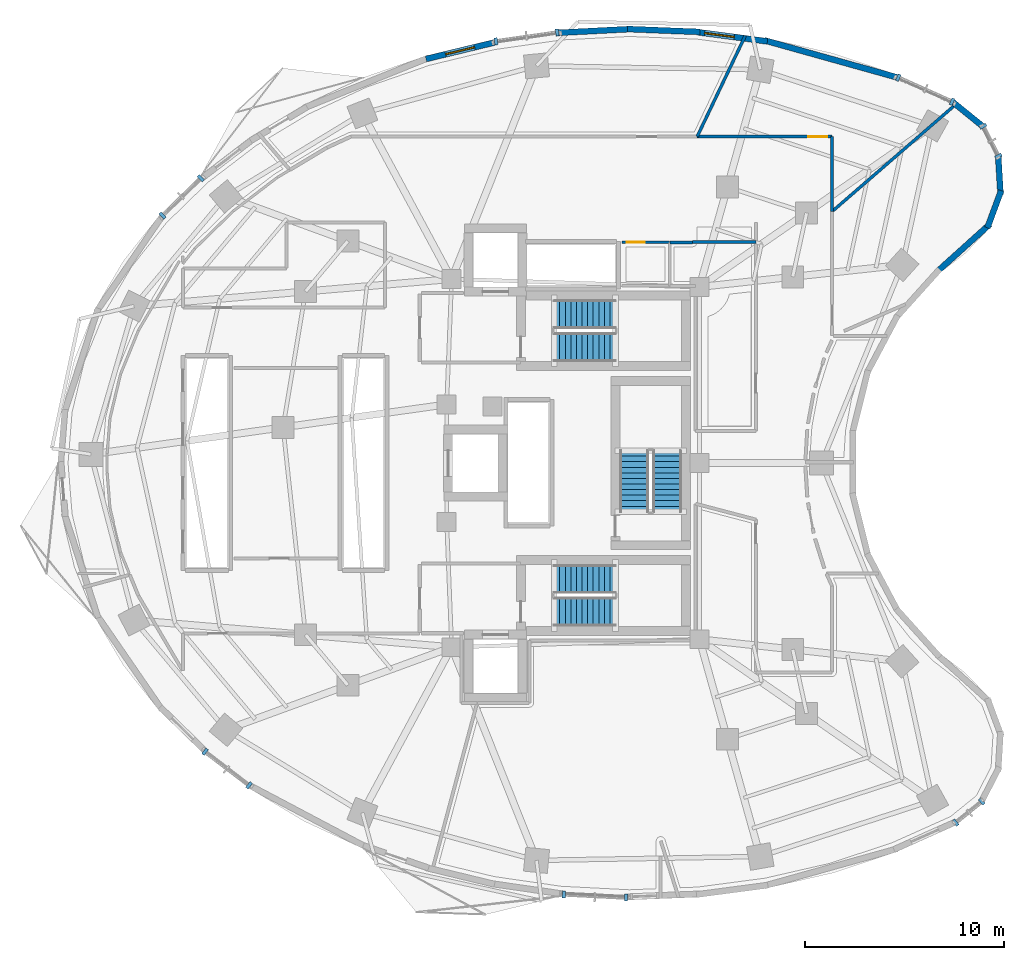
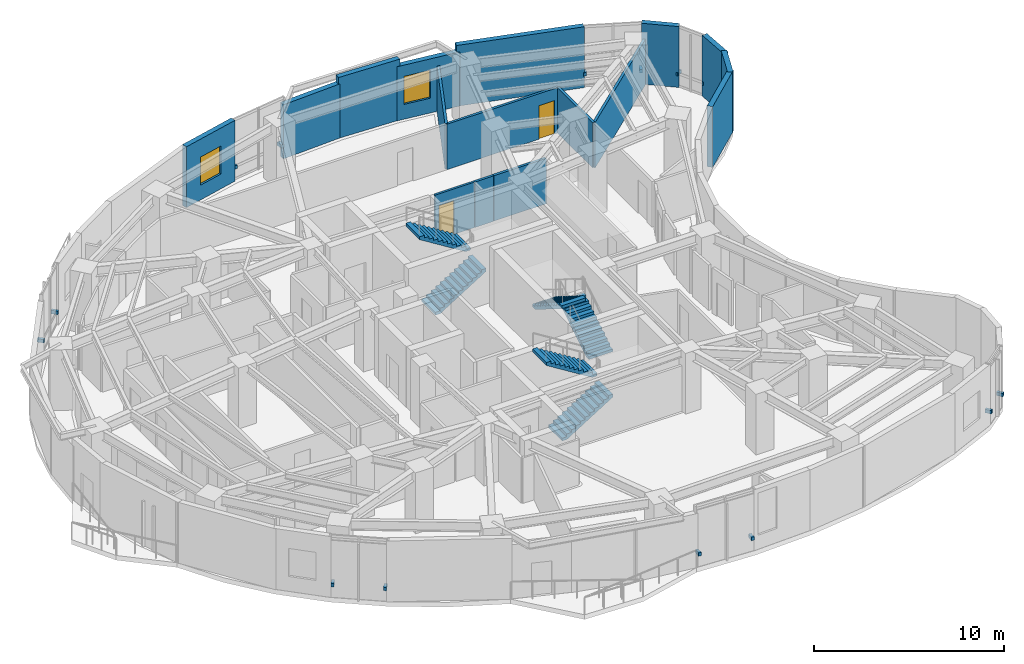
# One storey, part 10 of 13: 16 walls, 14 discrete accessories, 6 stair flights, 2 doors, 2 windows, 4 openings, 3 elements without a shape of their own.
"""IFC4 building model written with IfcOpenShell, lengths in metres."""

from ifc_helpers import new_model, si_unit, direction, frame, frame_2d, origin, origin_2d, place, context, subcontext, project, spatial, polyline, rectangle, outline, extrude, material, layer, layer_set, type_object, element, fill, aggregate, save


model = new_model("IFC4")

# Units and contexts
model_context = context("Model", 3, precision=1e-05, world=origin(), true_north=direction((0.0, 1.0)))
body_context = subcontext(model_context, "Body", "Model", "MODEL_VIEW")
ifc_project = project(units=[si_unit("LENGTHUNIT", "METRE"), si_unit("AREAUNIT", "SQUARE_METRE"), si_unit("VOLUMEUNIT", "CUBIC_METRE"), si_unit("PLANEANGLEUNIT", "RADIAN"), si_unit("MASSUNIT", "GRAM", prefix="KILO")], contexts=[model_context])

# Site, building, storey
site_placement = place(None, origin())
site = spatial("IfcSite", under=ifc_project, at=site_placement, CompositionType="ELEMENT")
building_placement = place(site_placement, origin())
building = spatial("IfcBuilding", under=site, at=building_placement, Name="Korentha Bioscience Tower", CompositionType="ELEMENT")
storey_placement = place(building_placement, frame((0.0, 0.0, 106.800048828125)))
storey = spatial("IfcBuildingStorey", under=building, at=storey_placement, Name="L24", CompositionType="ELEMENT", Elevation=106.800048828125)

# Wall, opening, door
ifc_material_1 = material(Name="Double-Stud Acoustic Gypsum", Category="gypsum")
ifc_layer_1 = layer(ifc_material_1, 0.14990234375, Name="Double-Stud Acoustic Gypsum")
ifc_layer_set_1 = layer_set([ifc_layer_1], Name="Double-Stud Acoustic Gypsum (IW-L150)")
wall_type_1 = type_object("IfcWallType", Name="Acoustic Laboratory Partition Wall 150", PredefinedType="PARTITIONING", material=ifc_layer_set_1)
wall_1_placement = place(storey_placement, frame((44.199951171875, 43.409912109375, 0.0), z_axis=(0.0, 0.0, 1.0), x_axis=(-1.0, 0.0, 0.0)))
wall_1 = element("IfcWall", 1, at=wall_1_placement, inside=storey, type_object=wall_type_1, Name="L24 HPLC Chromatography Room 07 Entrance Wall", PredefinedType="PARTITIONING", context=body_context, shape_type="SweptSolid", body=[
    extrude(rectangle(XDim=6.762939453125, YDim=0.14990234375, at=frame_2d((3.38134765625, 0.0))), origin(), (0.0, 0.0, 1.0), 2.909912109375),
])
opening_1_placement = place(wall_1_placement, frame((0.239990234375, 0.0, 0.0)))
opening_1 = element("IfcOpeningElement", 2, at=opening_1_placement, cuts=wall_1, Name="Opening ID-10R", PredefinedType="OPENING", context=body_context, shape_type="SweptSolid", body=[
    extrude(rectangle(XDim=0.949951171875, YDim=2.14990234375, at=frame_2d((0.47509765625, 1.074951171875))), frame((0.0, 0.08984375, 0.0), z_axis=(0.0, -1.0, 0.0), x_axis=(1.0, 0.0, 0.0)), (0.0, 0.0, 1.0), 0.1796875),
])
ifc_material_2 = material(Name="Phenolic Laminate Timber Core", Category="wood")
door_type_1 = type_object("IfcDoorType", Name="Laboratory Single Leaf Door 950x2150 Right", OperationType="SINGLE_SWING_RIGHT", PredefinedType="DOOR", material=ifc_material_2)
door_1_placement = place(opening_1_placement, origin())
door_1 = element("IfcDoor", 3, at=door_1_placement, inside=storey, type_object=door_type_1, Name="L24 HPLC Chromatography Room 07 Door", OperationType="SINGLE_SWING_RIGHT", OverallHeight=2.14990234375, OverallWidth=0.949951171875, PredefinedType="DOOR", context=body_context, shape_type="SweptSolid", body=[
    extrude(rectangle(XDim=0.949951171875, YDim=2.14990234375, at=frame_2d((0.47509765625, 1.074951171875))), frame((0.0, 0.02490234375, 0.0), z_axis=(0.0, -1.0, 0.0), x_axis=(1.0, 0.0, 0.0)), (0.0, 0.0, 1.0), 0.050048828125),
])
fill(opening_1, door_1)

# Walls
wall_2_placement = place(storey_placement, frame((44.2099609375, 39.639892578125, 0.0), z_axis=(0.0, 0.0, 1.0), x_axis=(0.756015454453, 0.654553766033, 0.0)))
element("IfcWall", 4, at=wall_2_placement, inside=storey, type_object=wall_type_1, Name="L24 Interior Partition 041", PredefinedType="PARTITIONING", context=body_context, shape_type="SweptSolid", body=[
    extrude(rectangle(XDim=8.340087890625, YDim=0.14990234375, at=frame_2d((4.169921875, 0.0))), origin(), (0.0, 0.0, 1.0), 2.909912109375),
])
wall_3_placement = place(storey_placement, frame((36.06005859375, 38.090087890625, 0.0), z_axis=(0.0, 0.0, 1.0), x_axis=(1.0, 0.0, 0.0)))
element("IfcWall", 5, at=wall_3_placement, inside=storey, type_object=wall_type_1, Name="L24 Interior Partition 043", PredefinedType="PARTITIONING", context=body_context, shape_type="SweptSolid", body=[
    extrude(rectangle(XDim=1.139892578125, YDim=0.14990234375, at=frame_2d((0.56982421875, 0.0))), origin(), (0.0, 0.0, 1.0), 2.909912109375),
])
wall_4_placement = place(storey_placement, frame((37.2099609375, 38.10009765625, 0.0), z_axis=(0.0, 0.0, 1.0), x_axis=(1.0, 0.0, 0.0)))
element("IfcWall", 6, at=wall_4_placement, inside=storey, type_object=wall_type_1, Name="L24 Interior Partition 045", PredefinedType="PARTITIONING", context=body_context, shape_type="SweptSolid", body=[
    extrude(rectangle(XDim=3.179931640625, YDim=0.14990234375, at=frame_2d((1.58984375, 0.0))), origin(), (0.0, 0.0, 1.0), 2.909912109375),
])
wall_5_placement = place(storey_placement, frame((44.2099609375, 39.653076171875, 0.0), z_axis=(0.0, 0.0, 1.0), x_axis=(0.0, 1.0, 0.0)))
element("IfcWall", 7, at=wall_5_placement, inside=storey, type_object=wall_type_1, Name="L24 Interior Partition 048", PredefinedType="PARTITIONING", context=body_context, shape_type="SweptSolid", body=[
    extrude(rectangle(XDim=3.746826171875, YDim=0.14990234375, at=frame_2d((1.87353515625, 0.0))), origin(), (0.0, 0.0, 1.0), 2.909912109375),
])
wall_6_placement = place(storey_placement, frame((37.43701171875, 43.409912109375, 0.0), z_axis=(0.0, 0.0, 1.0), x_axis=(0.430520600722, 0.902580751154, 0.0)))
element("IfcWall", 8, at=wall_6_placement, inside=storey, type_object=wall_type_1, Name="L24 Interior Partition 049", PredefinedType="PARTITIONING", context=body_context, shape_type="SweptSolid", body=[
    extrude(rectangle(XDim=5.60107421875, YDim=0.14990234375, at=frame_2d((2.800537109375, 0.0))), origin(), (0.0, 0.0, 1.0), 2.909912109375),
])

# Wall, opening, window
ifc_material_3 = material(Name="Honed Limestone Precast Concrete C40", Category="masonry")
ifc_layer_2 = layer(ifc_material_3, 0.300048828125, Name="Honed Limestone Precast Concrete C40")
ifc_layer_set_2 = layer_set([ifc_layer_2], Name="Honed Limestone Precast Concrete C40 (EW-ST300)")
wall_type_2 = type_object("IfcWallType", Name="Honed Limestone Cavity Spandrel Wall 300", PredefinedType="STANDARD", material=ifc_layer_set_2)
wall_7_placement = place(storey_placement, frame((40.964111328125, 48.18994140625, 0.0), z_axis=(0.0, 0.0, 1.0), x_axis=(-0.991369257822, 0.131099178664, 0.0)))
wall_7 = element("IfcWall", 9, at=wall_7_placement, inside=storey, type_object=wall_type_2, Name="L24 Honed Limestone Spandrel Wall 04", PredefinedType="STANDARD", context=body_context, shape_type="SweptSolid", body=[
    extrude(rectangle(XDim=3.575439453125, YDim=0.300048828125, at=frame_2d((1.78759765625, 0.0))), origin(), (0.0, 0.0, 1.0), 3.469970703125),
])
opening_2_placement = place(wall_7_placement, frame((1.686279296875, 0.0, 0.949951171875)))
opening_2 = element("IfcOpeningElement", 10, at=opening_2_placement, cuts=wall_7, Name="Opening WN-02", PredefinedType="OPENING", context=body_context, shape_type="SweptSolid", body=[
    extrude(rectangle(XDim=1.5, YDim=1.800048828125, at=frame_2d((0.75, 0.89990234375))), frame((0.0, 0.1650390625, 0.0), z_axis=(0.0, -1.0, 0.0), x_axis=(1.0, 0.0, 0.0)), (0.0, 0.0, 1.0), 0.329833984375),
])
ifc_material_4 = material(Name="Thermally Broken Aluminium Triple Glazing", Category="aluminium")
window_type = type_object("IfcWindowType", Name="Acoustic Operable Office Window 1500x1800", PartitioningType="DOUBLE_PANEL_VERTICAL", PredefinedType="WINDOW", material=ifc_material_4)
window_1_placement = place(opening_2_placement, origin())
window_1 = element("IfcWindow", 11, at=window_1_placement, inside=storey, type_object=window_type, Name="L24 Facade Window 04", OverallHeight=1.800048828125, OverallWidth=1.5, PartitioningType="DOUBLE_PANEL_VERTICAL", PredefinedType="WINDOW", context=body_context, shape_type="SweptSolid", body=[
    extrude(rectangle(XDim=1.5, YDim=1.800048828125, at=frame_2d((0.75, 0.89990234375))), frame((0.0, 0.030029296875, 0.0), z_axis=(0.0, -1.0, 0.0), x_axis=(1.0, 0.0, 0.0)), (0.0, 0.0, 1.0), 0.06005859375),
])
fill(opening_2, window_1)

wall_8_placement = place(storey_placement, frame((27.23828125, 48.1337890625, 0.0), z_axis=(0.0, 0.0, 1.0), x_axis=(-0.972049000874, -0.234778065203, 0.0)))
wall_8 = element("IfcWall", 12, at=wall_8_placement, inside=storey, type_object=wall_type_2, Name="L24 Honed Limestone Spandrel Wall 08", PredefinedType="STANDARD", context=body_context, shape_type="SweptSolid", body=[
    extrude(rectangle(XDim=3.5283203125, YDim=0.300048828125, at=frame_2d((1.76416015625, 0.0))), origin(), (0.0, 0.0, 1.0), 3.89990234375),
])
opening_3_placement = place(wall_8_placement, frame((1.014404296875, 0.0, 0.949951171875)))
opening_3 = element("IfcOpeningElement", 13, at=opening_3_placement, cuts=wall_8, Name="Opening WN-02", PredefinedType="OPENING", context=body_context, shape_type="SweptSolid", body=[
    extrude(rectangle(XDim=1.5, YDim=1.800048828125, at=frame_2d((0.75, 0.89990234375))), frame((0.0, 0.1650390625, 0.0), z_axis=(0.0, -1.0, 0.0), x_axis=(1.0, 0.0, 0.0)), (0.0, 0.0, 1.0), 0.329833984375),
])
window_2_placement = place(opening_3_placement, origin())
window_2 = element("IfcWindow", 14, at=window_2_placement, inside=storey, type_object=window_type, Name="L24 Facade Window 08", OverallHeight=1.800048828125, OverallWidth=1.5, PartitioningType="DOUBLE_PANEL_VERTICAL", PredefinedType="WINDOW", context=body_context, shape_type="SweptSolid", body=[
    extrude(rectangle(XDim=1.5, YDim=1.800048828125, at=frame_2d((0.75, 0.89990234375))), frame((0.0, 0.030029296875, 0.0), z_axis=(0.0, -1.0, 0.0), x_axis=(1.0, 0.0, 0.0)), (0.0, 0.0, 1.0), 0.06005859375),
])
fill(opening_3, window_2)

# Walls
wall_9_placement = place(storey_placement, frame((47.47900390625, 46.380126953125, 0.0), z_axis=(0.0, 0.0, 1.0), x_axis=(-0.963116215402, 0.269085777459, 0.0)))
element("IfcWall", 15, at=wall_9_placement, inside=storey, type_object=wall_type_2, Name="L24 Limestone Perimeter Closure Wall 02", PredefinedType="STANDARD", context=body_context, shape_type="SweptSolid", body=[
    extrude(rectangle(XDim=6.923583984375, YDim=0.300048828125, at=frame_2d((3.4619140625, 0.0))), origin(), (0.0, 0.0, 1.0), 3.89990234375),
])
wall_10_placement = place(storey_placement, frame((37.574462890625, 48.666259765625, 0.0), z_axis=(0.0, 0.0, 1.0), x_axis=(-0.999212076676, 0.039689114679, 0.0)))
element("IfcWall", 16, at=wall_10_placement, inside=storey, type_object=wall_type_2, Name="L24 Limestone Perimeter Closure Wall 05", PredefinedType="STANDARD", context=body_context, shape_type="SweptSolid", body=[
    extrude(rectangle(XDim=3.635498046875, YDim=0.300048828125, at=frame_2d((1.81787109375, 0.0))), origin(), (0.0, 0.0, 1.0), 3.89990234375),
])
wall_11_placement = place(storey_placement, frame((34.114501953125, 48.8115234375, 0.0), z_axis=(0.0, 0.0, 1.0), x_axis=(-0.998674767218, -0.051465613004, 0.0)))
element("IfcWall", 17, at=wall_11_placement, inside=storey, type_object=wall_type_2, Name="L24 Limestone Perimeter Closure Wall 06", PredefinedType="STANDARD", context=body_context, shape_type="SweptSolid", body=[
    extrude(rectangle(XDim=3.6337890625, YDim=0.300048828125, at=frame_2d((1.81689453125, 0.0))), origin(), (0.0, 0.0, 1.0), 3.469970703125),
])
wall_12_placement = place(storey_placement, frame((49.51318359375, 36.6357421875, 0.0), z_axis=(0.0, 0.0, 1.0), x_axis=(0.74255963233, 0.669779958221, 0.0)))
element("IfcWall", 18, at=wall_12_placement, inside=storey, type_object=wall_type_2, Name="L24 Limestone Perimeter Closure Wall 57", PredefinedType="STANDARD", context=body_context, shape_type="SweptSolid", body=[
    extrude(rectangle(XDim=3.5390625, YDim=0.300048828125, at=frame_2d((1.76953125, 0.0))), origin(), (0.0, 0.0, 1.0), 3.89990234375),
])
wall_13_placement = place(storey_placement, frame((52.016357421875, 38.822265625, 0.0), z_axis=(0.0, 0.0, 1.0), x_axis=(0.347370087337, 0.937728117539, 0.0)))
element("IfcWall", 19, at=wall_13_placement, inside=storey, type_object=wall_type_2, Name="L24 Limestone Perimeter Closure Wall 59", PredefinedType="STANDARD", context=body_context, shape_type="SweptSolid", body=[
    extrude(rectangle(XDim=1.997314453125, YDim=0.300048828125, at=frame_2d((0.99853515625, 0.0))), origin(), (0.0, 0.0, 1.0), 3.89990234375),
])
for number, where, z_axis, x_axis, name in (
    (20, (52.678955078125, 40.4833984375, 0.0), (0.0, 0.0, 1.0), (-0.060255200356, 0.998183004679, 0.0), "L24 Limestone Perimeter Closure Wall 60"),
    (21, (51.83642578125, 43.880615234375, 0.0), (0.0, 0.0, 1.0), (-0.777338789647, 0.629082193445, 0.0), "L24 Limestone Perimeter Closure Wall 62"),
):
    element("IfcWall", number, at=place(storey_placement, frame(where, z_axis=z_axis, x_axis=x_axis)), inside=storey, type_object=wall_type_2, Name=name, PredefinedType="STANDARD", context=body_context, shape_type="SweptSolid", body=[
        extrude(rectangle(XDim=1.99755859375, YDim=0.300048828125, at=frame_2d((0.998779296875, 0.0))), origin(), (0.0, 0.0, 1.0), 3.89990234375),
    ])

# Wall, opening, door
ifc_material_5 = material(Name="Cement-Board Steel Stud", Category="steel")
ifc_layer_3 = layer(ifc_material_5, 0.1298828125, Name="Cement-Board Steel Stud")
ifc_layer_set_3 = layer_set([ifc_layer_3], Name="Cement-Board Steel Stud (IW-W130)")
wall_type_3 = type_object("IfcWallType", Name="Wet-Area Moisture-Resistant Partition 130", PredefinedType="PARTITIONING", material=ifc_layer_set_3)
wall_14_placement = place(storey_placement, frame((33.64990234375, 38.090087890625, 0.0), z_axis=(0.0, 0.0, 1.0), x_axis=(1.0, 0.0, 0.0)))
wall_14 = element("IfcWall", 22, at=wall_14_placement, inside=storey, type_object=wall_type_3, Name="L24 Accessible Staff WC Entrance Wall", PredefinedType="PARTITIONING", context=body_context, shape_type="SweptSolid", body=[
    extrude(rectangle(XDim=2.400146484375, YDim=0.1298828125, at=frame_2d((1.2001953125, 0.0))), origin(), (0.0, 0.0, 1.0), 2.909912109375),
])
opening_4_placement = place(wall_14_placement, frame((0.239990234375, 0.0, 0.0)))
opening_4 = element("IfcOpeningElement", 23, at=opening_4_placement, cuts=wall_14, Name="Opening ID-09L", PredefinedType="OPENING", context=body_context, shape_type="SweptSolid", body=[
    extrude(rectangle(XDim=0.89990234375, YDim=2.14990234375, at=frame_2d((0.449951171875, 1.074951171875))), frame((0.0, 0.079833984375, 0.0), z_axis=(0.0, -1.0, 0.0), x_axis=(1.0, 0.0, 0.0)), (0.0, 0.0, 1.0), 0.15966796875),
])
ifc_material_6 = material(Name="Moisture-Resistant HPL Leaf", Category="wood")
door_type_2 = type_object("IfcDoorType", Name="Restroom & Accessible WC Door 900x2150 Left", OperationType="SINGLE_SWING_LEFT", PredefinedType="DOOR", material=ifc_material_6)
door_2_placement = place(opening_4_placement, origin())
door_2 = element("IfcDoor", 24, at=door_2_placement, inside=storey, type_object=door_type_2, Name="L24 Accessible Staff WC Door", OperationType="SINGLE_SWING_LEFT", OverallHeight=2.14990234375, OverallWidth=0.89990234375, PredefinedType="DOOR", context=body_context, shape_type="SweptSolid", body=[
    extrude(rectangle(XDim=0.89990234375, YDim=2.14990234375, at=frame_2d((0.449951171875, 1.074951171875))), frame((0.0, 0.02490234375, 0.0), z_axis=(0.0, -1.0, 0.0), x_axis=(1.0, 0.0, 0.0)), (0.0, 0.0, 1.0), 0.050048828125),
])
fill(opening_4, door_2)

# Stair, stair flights
ifc_material_7 = material(Name="Precast Concrete C50", Category="concrete")
stair_type = type_object("IfcStairType", Name="Core Exit Dog-Leg Stair 1450", PredefinedType="HALF_TURN_STAIR", material=ifc_material_7)
stair_1_placement = place(storey_placement, origin())
stair_1 = element("IfcStair", 25, at=stair_1_placement, inside=storey, type_object=stair_type, Name="L24 Tower North Pressurized Exit Stair ST-1", PredefinedType="HALF_TURN_STAIR")
stair_flight_type = type_object("IfcStairFlightType", Name="Core Exit Dog-Leg Stair 1450 Flight", PredefinedType="STRAIGHT", material=ifc_material_7)
stair_flight_1_placement = place(storey_placement, frame((30.25, 32.824951171875, 0.0), z_axis=(0.0, 0.0, 1.0), x_axis=(1.0, 0.0, 0.0)))
stair_flight_1 = element("IfcStairFlight", 26, at=stair_flight_1_placement, type_object=stair_flight_type, Name="ST-1 flight 1", NumberOfRisers=12, NumberOfTreads=11, PredefinedType="STRAIGHT", RiserHeight=0.175, TreadLength=0.28, context=body_context, shape_type="SweptSolid", body=[
    extrude(outline(polyline([(0.0, 0.0), (0.0, 0.175048828125), (0.280029296875, 0.175048828125), (0.280029296875, 0.35009765625), (0.56005859375, 0.35009765625), (0.56005859375, 0.52490234375), (0.840087890625, 0.52490234375), (0.840087890625, 0.699951171875), (1.1201171875, 0.699951171875), (1.1201171875, 0.875), (1.39990234375, 0.875), (1.39990234375, 1.050048828125), (1.679931640625, 1.050048828125), (1.679931640625, 1.22509765625), (1.9599609375, 1.22509765625), (1.9599609375, 1.39990234375), (2.239990234375, 1.39990234375), (2.239990234375, 1.574951171875), (2.52001953125, 1.574951171875), (2.52001953125, 1.75), (2.800048828125, 1.75), (2.800048828125, 1.925048828125), (3.080078125, 1.925048828125), (3.080078125, 2.10009765625), (3.080078125, 1.736328125), (0.3017578125, 0.0), (0.0, 0.0)])), frame((0.0, 0.72509765625, 0.0), z_axis=(0.0, -1.0, 0.0), x_axis=(1.0, 0.0, 0.0)), (0.0, 0.0, 1.0), 1.449951171875),
])
stair_flight_2_placement = place(storey_placement, frame((33.330078125, 34.47509765625, 2.099853515625), z_axis=(0.0, 0.0, 1.0), x_axis=(-1.0, 0.0, 0.0)))
stair_flight_2 = element("IfcStairFlight", 27, at=stair_flight_2_placement, type_object=stair_flight_type, Name="ST-1 flight 2", NumberOfRisers=12, NumberOfTreads=11, PredefinedType="STRAIGHT", RiserHeight=0.175, TreadLength=0.28, context=body_context, shape_type="SweptSolid", body=[
    extrude(outline(polyline([(0.0, 0.0), (0.0, 0.175048828125), (0.280029296875, 0.175048828125), (0.280029296875, 0.35009765625), (0.56005859375, 0.35009765625), (0.56005859375, 0.52490234375), (0.840087890625, 0.52490234375), (0.840087890625, 0.699951171875), (1.1201171875, 0.699951171875), (1.1201171875, 0.875), (1.39990234375, 0.875), (1.39990234375, 1.050048828125), (1.679931640625, 1.050048828125), (1.679931640625, 1.22509765625), (1.9599609375, 1.22509765625), (1.9599609375, 1.39990234375), (2.239990234375, 1.39990234375), (2.239990234375, 1.574951171875), (2.52001953125, 1.574951171875), (2.52001953125, 1.75), (2.800048828125, 1.75), (2.800048828125, 1.925048828125), (3.080078125, 1.925048828125), (3.080078125, 2.10009765625), (3.080078125, 1.736328125), (0.3017578125, 0.0), (0.0, 0.0)])), frame((0.0, 0.72509765625, 0.0), z_axis=(0.0, -1.0, 0.0), x_axis=(1.0, 0.0, 0.0)), (0.0, 0.0, 1.0), 1.449951171875),
])
aggregate(stair_1, [stair_flight_1, stair_flight_2])

stair_2_placement = place(storey_placement, origin())
stair_2 = element("IfcStair", 28, at=stair_2_placement, inside=storey, type_object=stair_type, Name="L24 Tower South Pressurized Exit Stair ST-2", PredefinedType="HALF_TURN_STAIR")
stair_flight_3_placement = place(storey_placement, frame((30.25, 19.52490234375, 0.0), z_axis=(0.0, 0.0, 1.0), x_axis=(1.0, 0.0, 0.0)))
stair_flight_3 = element("IfcStairFlight", 29, at=stair_flight_3_placement, type_object=stair_flight_type, Name="ST-2 flight 1", NumberOfRisers=12, NumberOfTreads=11, PredefinedType="STRAIGHT", RiserHeight=0.175, TreadLength=0.28, context=body_context, shape_type="SweptSolid", body=[
    extrude(outline(polyline([(0.0, 0.0), (0.0, 0.175048828125), (0.280029296875, 0.175048828125), (0.280029296875, 0.35009765625), (0.56005859375, 0.35009765625), (0.56005859375, 0.52490234375), (0.840087890625, 0.52490234375), (0.840087890625, 0.699951171875), (1.1201171875, 0.699951171875), (1.1201171875, 0.875), (1.39990234375, 0.875), (1.39990234375, 1.050048828125), (1.679931640625, 1.050048828125), (1.679931640625, 1.22509765625), (1.9599609375, 1.22509765625), (1.9599609375, 1.39990234375), (2.239990234375, 1.39990234375), (2.239990234375, 1.574951171875), (2.52001953125, 1.574951171875), (2.52001953125, 1.75), (2.800048828125, 1.75), (2.800048828125, 1.925048828125), (3.080078125, 1.925048828125), (3.080078125, 2.10009765625), (3.080078125, 1.736328125), (0.3017578125, 0.0), (0.0, 0.0)])), frame((0.0, 0.72509765625, 0.0), z_axis=(0.0, -1.0, 0.0), x_axis=(1.0, 0.0, 0.0)), (0.0, 0.0, 1.0), 1.449951171875),
])
stair_flight_4_placement = place(storey_placement, frame((33.330078125, 21.175048828125, 2.099853515625), z_axis=(0.0, 0.0, 1.0), x_axis=(-1.0, 0.0, 0.0)))
stair_flight_4 = element("IfcStairFlight", 30, at=stair_flight_4_placement, type_object=stair_flight_type, Name="ST-2 flight 2", NumberOfRisers=12, NumberOfTreads=11, PredefinedType="STRAIGHT", RiserHeight=0.175, TreadLength=0.28, context=body_context, shape_type="SweptSolid", body=[
    extrude(outline(polyline([(0.0, 0.0), (0.0, 0.175048828125), (0.280029296875, 0.175048828125), (0.280029296875, 0.35009765625), (0.56005859375, 0.35009765625), (0.56005859375, 0.52490234375), (0.840087890625, 0.52490234375), (0.840087890625, 0.699951171875), (1.1201171875, 0.699951171875), (1.1201171875, 0.875), (1.39990234375, 0.875), (1.39990234375, 1.050048828125), (1.679931640625, 1.050048828125), (1.679931640625, 1.22509765625), (1.9599609375, 1.22509765625), (1.9599609375, 1.39990234375), (2.239990234375, 1.39990234375), (2.239990234375, 1.574951171875), (2.52001953125, 1.574951171875), (2.52001953125, 1.75), (2.800048828125, 1.75), (2.800048828125, 1.925048828125), (3.080078125, 1.925048828125), (3.080078125, 2.10009765625), (3.080078125, 1.736328125), (0.3017578125, 0.0), (0.0, 0.0)])), frame((0.0, 0.72509765625, 0.0), z_axis=(0.0, -1.0, 0.0), x_axis=(1.0, 0.0, 0.0)), (0.0, 0.0, 1.0), 1.449951171875),
])
aggregate(stair_2, [stair_flight_3, stair_flight_4])

stair_3_placement = place(storey_placement, origin())
stair_3 = element("IfcStair", 31, at=stair_3_placement, inside=storey, type_object=stair_type, Name="L24 Tower Central Pressurized Exit Stair ST-3", PredefinedType="HALF_TURN_STAIR")
stair_flight_5_placement = place(storey_placement, frame((35.925048828125, 24.550048828125, 0.0), z_axis=(0.0, 0.0, 1.0), x_axis=(0.0, 1.0, 0.0)))
stair_flight_5 = element("IfcStairFlight", 32, at=stair_flight_5_placement, type_object=stair_flight_type, Name="ST-3 flight 1", NumberOfRisers=12, NumberOfTreads=11, PredefinedType="STRAIGHT", RiserHeight=0.175, TreadLength=0.28, context=body_context, shape_type="SweptSolid", body=[
    extrude(outline(polyline([(0.0, 0.0), (0.0, 0.175048828125), (0.280029296875, 0.175048828125), (0.280029296875, 0.35009765625), (0.56005859375, 0.35009765625), (0.56005859375, 0.52490234375), (0.840087890625, 0.52490234375), (0.840087890625, 0.699951171875), (1.1201171875, 0.699951171875), (1.1201171875, 0.875), (1.39990234375, 0.875), (1.39990234375, 1.050048828125), (1.679931640625, 1.050048828125), (1.679931640625, 1.22509765625), (1.9599609375, 1.22509765625), (1.9599609375, 1.39990234375), (2.239990234375, 1.39990234375), (2.239990234375, 1.574951171875), (2.52001953125, 1.574951171875), (2.52001953125, 1.75), (2.800048828125, 1.75), (2.800048828125, 1.925048828125), (3.080078125, 1.925048828125), (3.080078125, 2.10009765625), (3.080078125, 1.736328125), (0.3017578125, 0.0), (0.0, 0.0)])), frame((0.0, 0.72509765625, 0.0), z_axis=(0.0, -1.0, 0.0), x_axis=(1.0, 0.0, 0.0)), (0.0, 0.0, 1.0), 1.449951171875),
])
stair_flight_6_placement = place(storey_placement, frame((34.27490234375, 27.6298828125, 2.099853515625), z_axis=(0.0, 0.0, 1.0), x_axis=(0.0, -1.0, 0.0)))
stair_flight_6 = element("IfcStairFlight", 33, at=stair_flight_6_placement, type_object=stair_flight_type, Name="ST-3 flight 2", NumberOfRisers=12, NumberOfTreads=11, PredefinedType="STRAIGHT", RiserHeight=0.175, TreadLength=0.28, context=body_context, shape_type="SweptSolid", body=[
    extrude(outline(polyline([(0.0, 0.0), (0.0, 0.175048828125), (0.280029296875, 0.175048828125), (0.280029296875, 0.35009765625), (0.56005859375, 0.35009765625), (0.56005859375, 0.52490234375), (0.840087890625, 0.52490234375), (0.840087890625, 0.699951171875), (1.1201171875, 0.699951171875), (1.1201171875, 0.875), (1.39990234375, 0.875), (1.39990234375, 1.050048828125), (1.679931640625, 1.050048828125), (1.679931640625, 1.22509765625), (1.9599609375, 1.22509765625), (1.9599609375, 1.39990234375), (2.239990234375, 1.39990234375), (2.239990234375, 1.574951171875), (2.52001953125, 1.574951171875), (2.52001953125, 1.75), (2.800048828125, 1.75), (2.800048828125, 1.925048828125), (3.080078125, 1.925048828125), (3.080078125, 2.10009765625), (3.080078125, 1.736328125), (0.3017578125, 0.0), (0.0, 0.0)])), frame((0.0, 0.72509765625, 0.0), z_axis=(0.0, -1.0, 0.0), x_axis=(1.0, 0.0, 0.0)), (0.0, 0.0, 1.0), 1.449951171875),
])
aggregate(stair_3, [stair_flight_5, stair_flight_6])

# Discrete accessories
ifc_material_8 = material(Name="Stainless Steel 316", Category="steel")
discrete_accessory_type = type_object("IfcDiscreteAccessoryType", Name="Stainless Steel Solar-Screen Outrigger Bracket", PredefinedType="BRACKET", material=ifc_material_8)
for number, where, z_axis, x_axis, name in (
    (34, (50.241455078125, 45.161376953125, 0.73974609375), (0.0, 0.0, 1.0), (-0.912686563127, 0.408660295952, 0.0), "CW-L24-01 Solar-Screen Support Bracket 1"),
    (35, (47.542236328125, 46.3701171875, 0.73974609375), (0.0, 0.0, 1.0), (-0.912686563127, 0.408660295952, 0.0), "CW-L24-01 Solar-Screen Support Bracket 2"),
    (36, (30.40380859375, 48.635009765625, 0.73974609375), (0.0, 0.0, 1.0), (-0.989738282326, -0.14289203091, 0.0), "CW-L24-07 Solar-Screen Support Bracket 1"),
    (37, (27.328369140625, 48.19091796875, 0.73974609375), (0.0, 0.0, 1.0), (-0.989738282326, -0.14289203091, 0.0), "CW-L24-07 Solar-Screen Support Bracket 2"),
    (38, (12.496826171875, 41.316162109375, 0.73974609375), (0.0, 0.0, 1.0), (-0.716095631804, -0.698002182025, 0.0), "CW-L24-13 Solar-Screen Support Bracket 1"),
    (39, (10.5673828125, 39.435302734375, 0.73974609375), (0.0, 0.0, 1.0), (-0.716095631804, -0.698002182025, 0.0), "CW-L24-13 Solar-Screen Support Bracket 2"),
    (40, (12.708740234375, 12.501220703125, 0.73974609375), (0.0, 0.0, 1.0), (0.794499603893, -0.607264669986, 0.0), "CW-L24-25 Solar-Screen Support Bracket 1"),
    (41, (14.920166015625, 10.810791015625, 0.73974609375), (0.0, 0.0, 1.0), (0.794499603893, -0.607264669986, 0.0), "CW-L24-25 Solar-Screen Support Bracket 2"),
    (42, (30.737060546875, 5.33251953125, 0.73974609375), (0.0, 0.0, 1.0), (0.998673231344, -0.051495407527, 0.0), "CW-L24-31 Solar-Screen Support Bracket 1"),
    (43, (33.860107421875, 5.17138671875, 0.73974609375), (0.0, 0.0, 1.0), (0.998673231344, -0.051495407527, 0.0), "CW-L24-31 Solar-Screen Support Bracket 2"),
    (44, (50.423095703125, 8.93701171875, 0.73974609375), (0.0, 0.0, 1.0), (0.777315301098, 0.629111216463, 0.0), "CW-L24-37 Solar-Screen Support Bracket 1"),
    (45, (51.734619140625, 9.998779296875, 0.73974609375), (0.0, 0.0, 1.0), (0.777315301098, 0.629111216463, 0.0), "CW-L24-37 Solar-Screen Support Bracket 2"),
    (46, (52.571044921875, 42.42236328125, 0.73974609375), (0.0, 0.0, 1.0), (-0.457613117169, 0.889151412862, 0.0), "CW-L24-61 Solar-Screen Support Bracket 1"),
    (47, (51.798828125, 43.922607421875, 0.73974609375), (0.0, 0.0, 1.0), (-0.457613117169, 0.889151412862, 0.0), "CW-L24-61 Solar-Screen Support Bracket 2"),
):
    element("IfcDiscreteAccessory", number, at=place(storey_placement, frame(where, z_axis=z_axis, x_axis=x_axis)), inside=storey, type_object=discrete_accessory_type, Name=name, PredefinedType="BRACKET", context=body_context, shape_type="SweptSolid", body=[
        extrude(rectangle(XDim=0.159912109375, YDim=0.360107421875, at=origin_2d()), origin(), (0.0, 0.0, 1.0), 0.219970703125),
    ])

save(model, "model.ifc")
